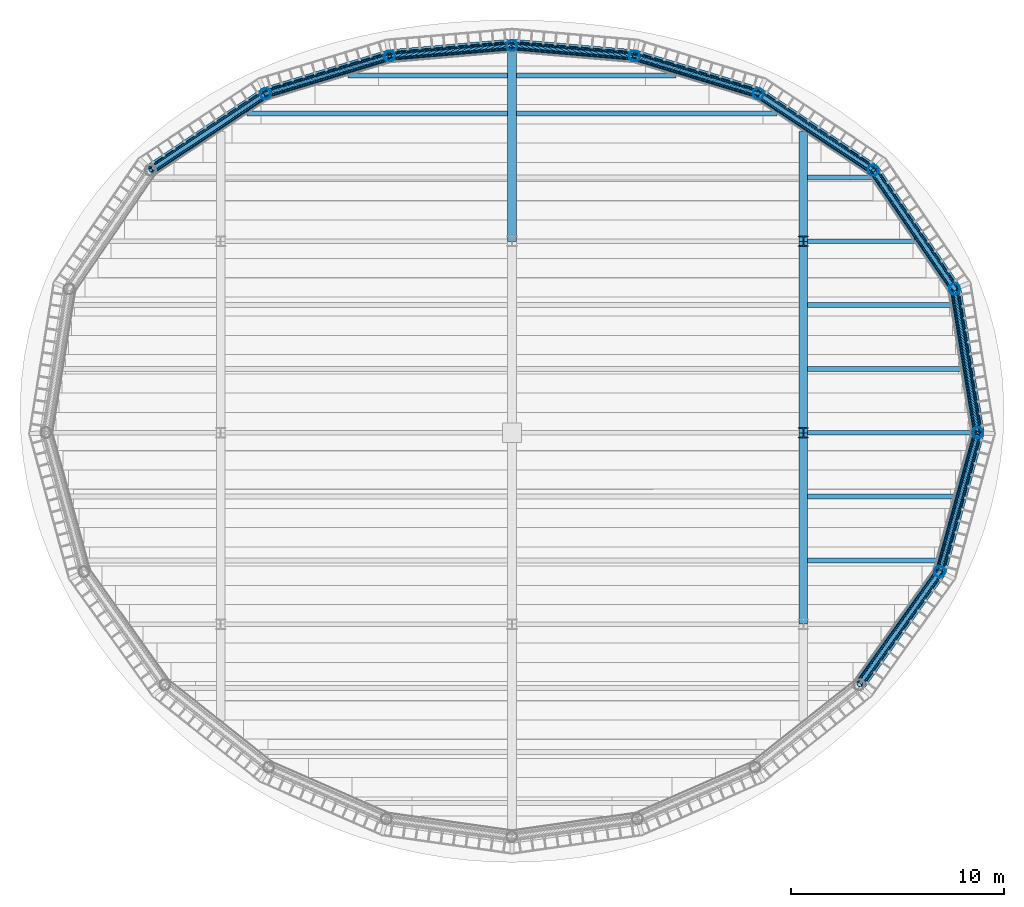
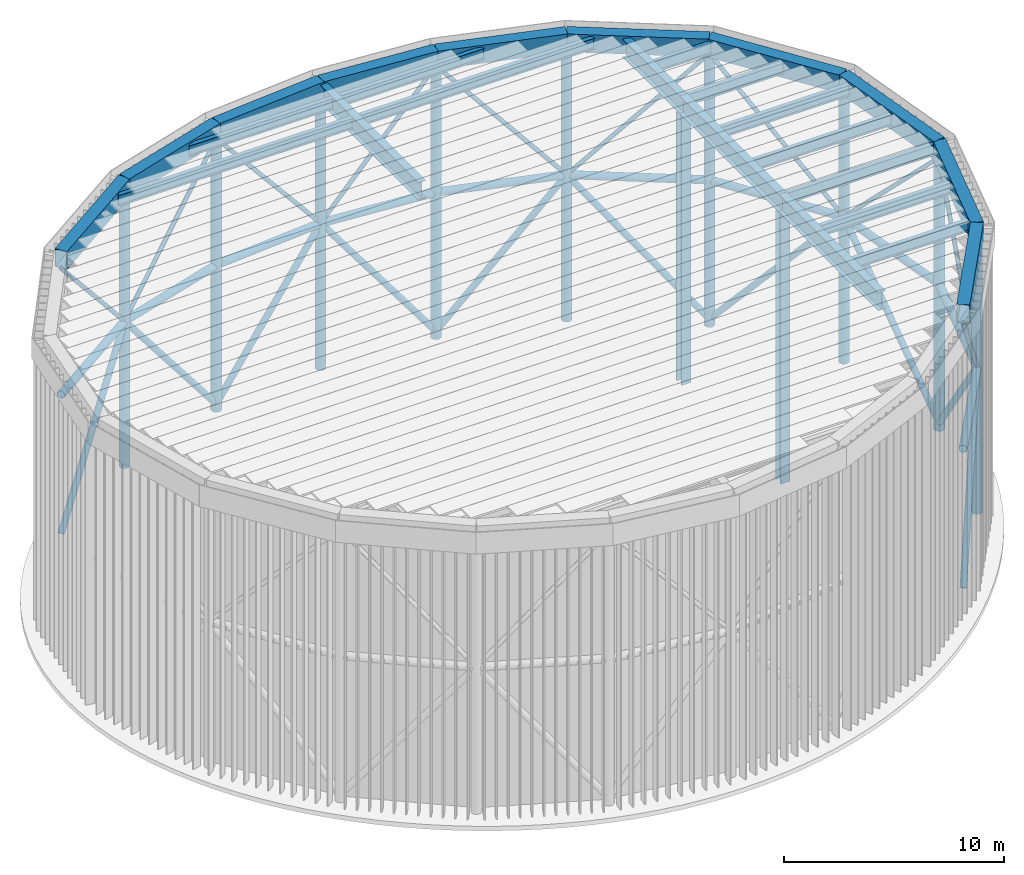
# One storey, part 3 of 11: 35 beams, 31 members.
"""IFC4 building model written with IfcOpenShell, lengths in metres."""

import ifcopenshell
import ifcopenshell.guid

model = None  # the IFC model being written
_history = None  # IfcOwnerHistory: only IFC2X3 demands one
_inside = {}  # id of a spatial element -> (the spatial element, [elements in it])
_under = {}  # id of a project, library or spatial element -> (it, [spatial elements below it])
_declared = {}  # id of a project -> (the project, [libraries it declares])
_typed = {}  # id of a type object -> (the type object, [elements of that type])
_made_of = {}  # id of a material, layer set ... -> (it, [elements and type objects made of it])


def new_model(schema):
    """Start an empty IFC model of exactly this schema.

    Asked for "IFC4X3", IfcOpenShell would pick the latest addendum, in which some entities
    have other attributes; the version numbers below select the first issue.
    IFC2X3 requires an IfcOwnerHistory on every rooted entity: one is made here for all.
    """
    global model, _history
    if schema == "IFC4X3":
        model = ifcopenshell.file(schema_version=(4, 3, 0, 0))
    else:
        model = ifcopenshell.file(schema=schema)
    _inside.clear()
    _under.clear()
    _declared.clear()
    _typed.clear()
    _made_of.clear()
    _history = None
    if model.schema == "IFC2X3":
        org = make("IfcOrganization", Name="unknown")
        user = make(
            "IfcPersonAndOrganization",
            ThePerson=make("IfcPerson", FamilyName="unknown"),
            TheOrganization=org,
        )
        app = make(
            "IfcApplication",
            ApplicationDeveloper=org,
            Version="unknown",
            ApplicationFullName="unknown",
            ApplicationIdentifier="unknown",
        )
        _history = make(
            "IfcOwnerHistory",
            OwningUser=user,
            OwningApplication=app,
            ChangeAction="ADDED",
            CreationDate=0,
        )
    return model


def make(cls, **values):
    """One entity of the class cls with the attributes given. An attribute that is None is left unset."""
    return model.create_entity(
        cls, **{name: value for name, value in values.items() if value is not None}
    )


def rooted(cls, **values):
    """An entity with a GlobalId (a new one), such as an element, a storey or a relation."""
    return make(cls, GlobalId=ifcopenshell.guid.new(), OwnerHistory=_history, **values)


def si_unit(unit_type, name, prefix=None):
    """IfcSIUnit, for example si_unit("LENGTHUNIT", "METRE", prefix="MILLI")."""
    return make("IfcSIUnit", UnitType=unit_type, Prefix=prefix, Name=name)


def assignment(units):
    """IfcUnitAssignment: the units of a project."""
    return None if units is None else make("IfcUnitAssignment", Units=units)


def point(xyz):
    """IfcCartesianPoint."""
    return None if xyz is None else make("IfcCartesianPoint", Coordinates=xyz)


def direction(xyz):
    """IfcDirection."""
    return None if xyz is None else make("IfcDirection", DirectionRatios=xyz)


def frame(location, z_axis=None, x_axis=None):
    """IfcAxis2Placement3D, a coordinate frame: its origin and axes. An axis left out is left unset."""
    return make(
        "IfcAxis2Placement3D",
        Location=point(location),
        Axis=direction(z_axis),
        RefDirection=direction(x_axis),
    )


def frame_2d(location, x_axis=None):
    """IfcAxis2Placement2D, a coordinate frame in the plane: its origin and x axis."""
    return make(
        "IfcAxis2Placement2D", Location=point(location), RefDirection=direction(x_axis)
    )


def origin():
    """The frame at (0, 0, 0) with its axes left unset."""
    return frame((0.0, 0.0, 0.0))


def origin_2d():
    """The frame at (0, 0) in the plane with its x axis left unset."""
    return frame_2d((0.0, 0.0))


def place(relative_to, where):
    """IfcLocalPlacement: puts the frame where relative to a parent placement (None: the world)."""
    return make(
        "IfcLocalPlacement", PlacementRelTo=relative_to, RelativePlacement=where
    )


def context(
    kind, dimensions, precision=None, world=None, true_north=None, identifier=None
):
    """IfcGeometricRepresentationContext, for example the 3D "Model" context."""
    return make(
        "IfcGeometricRepresentationContext",
        ContextIdentifier=identifier,
        ContextType=kind,
        CoordinateSpaceDimension=dimensions,
        Precision=precision,
        WorldCoordinateSystem=world,
        TrueNorth=true_north,
    )


def subcontext(parent, identifier, kind, view, scale=None):
    """IfcGeometricRepresentationSubContext, for example "Body" below "Model"."""
    return make(
        "IfcGeometricRepresentationSubContext",
        ContextIdentifier=identifier,
        ContextType=kind,
        ParentContext=parent,
        TargetScale=scale,
        TargetView=view,
    )


def project(units=None, contexts=None):
    """IfcProject with its units and contexts."""
    return rooted(
        "IfcProject",
        Name="project",
        RepresentationContexts=contexts,
        UnitsInContext=assignment(units),
    )


def spatial(cls, under=None, at=None, **own):
    """A site, building, storey or space (cls), placed at a placement, below another one or the project."""
    s = rooted(cls, ObjectPlacement=at, **own)
    if under is not None:
        _under.setdefault(under.id(), (under, []))[1].append(s)
    return s


def profile(cls, at=None, kind="AREA", **sizes):
    """A parametric profile (cls). Its sizes go by their IFC names, for example OverallWidth=200.0."""
    return make(cls, ProfileType=kind, Position=at, **sizes)


def hollow_rectangle(**sizes):
    """IfcRectangleHollowProfileDef."""
    return profile("IfcRectangleHollowProfileDef", **sizes)


def hollow_circle(**sizes):
    """IfcCircleHollowProfileDef."""
    return profile("IfcCircleHollowProfileDef", **sizes)


def i_section(**sizes):
    """IfcIShapeProfileDef."""
    return profile("IfcIShapeProfileDef", **sizes)


def extrude(swept, where, along, depth):
    """IfcExtrudedAreaSolid: the profile swept, set in the frame where, extruded along a direction by depth."""
    return make(
        "IfcExtrudedAreaSolid",
        SweptArea=swept,
        Position=where,
        ExtrudedDirection=direction(along),
        Depth=depth,
    )


def shape(context_of_items, identifier, shape_type, items):
    """IfcShapeRepresentation: the items that make up one representation, for example the "Body"."""
    return make(
        "IfcShapeRepresentation",
        ContextOfItems=context_of_items,
        RepresentationIdentifier=identifier,
        RepresentationType=shape_type,
        Items=items,
    )


def material(Name=None, Category=None):
    """IfcMaterial."""
    return make("IfcMaterial", Name=Name, Category=Category)


def material_profile(
    of_material, cross_section, Name=None, Category=None, Priority=None
):
    """IfcMaterialProfile: a cross section and its material."""
    return make(
        "IfcMaterialProfile",
        Name=Name,
        Material=of_material,
        Profile=cross_section,
        Priority=Priority,
        Category=Category,
    )


def profile_set(profiles, Name=None, composite=None):
    """IfcMaterialProfileSet."""
    return make(
        "IfcMaterialProfileSet",
        Name=Name,
        MaterialProfiles=profiles,
        CompositeProfile=composite,
    )


def made_of(thing, what):
    """Note that an element or type object is made of a material, layer set ...; save() writes the relation."""
    if what is not None:
        _made_of.setdefault(what.id(), (what, []))[1].append(thing)
    return thing


def type_object(cls, material=None, **own):
    """A type object (cls), such as IfcWallType, which elements share."""
    return made_of(rooted(cls, **own), material)


def element(
    cls,
    number,
    at=None,
    inside=None,
    cuts=None,
    type_object=None,
    material=None,
    context=None,
    identifier="Body",
    shape_type=None,
    held_by="IfcProductDefinitionShape",
    body=None,
    shapes=None,
    **own,
):
    """One element of the class cls, such as IfcWall. Its Tag is "e" and its number.

    at: its placement. inside: the storey or other place that contains it. cuts: it is an
    opening in that element (IfcRelVoidsElement). A single representation is given by context,
    identifier, shape_type and body (its items); several are given by shapes. held_by: the class
    of the entity that holds the representations. save() writes the other relations.
    """
    e = rooted(cls, Tag="e%d" % number, ObjectPlacement=at, **own)
    if body is not None:
        shapes = [shape(context, identifier, shape_type, body)]
    if shapes is not None:
        e.Representation = make(held_by, Representations=shapes)
    if inside is not None:
        _inside.setdefault(inside.id(), (inside, []))[1].append(e)
    if cuts is not None:
        rooted(
            "IfcRelVoidsElement", RelatingBuildingElement=cuts, RelatedOpeningElement=e
        )
    if type_object is not None:
        _typed.setdefault(type_object.id(), (type_object, []))[1].append(e)
    return made_of(e, material)


def aggregate(whole, parts):
    """IfcRelAggregates: a whole, such as a stair, and the parts it consists of."""
    return rooted("IfcRelAggregates", RelatingObject=whole, RelatedObjects=parts)


def save(model, path):
    """Write the relations noted so far, then the file.

    IfcRelAggregates (storeys below a building ...), IfcRelContainedInSpatialStructure (elements
    in a storey), IfcRelDefinesByType, IfcRelAssociatesMaterial and IfcRelDeclares: one each for
    every whole, place, type object, material and project.
    """
    for whole, parts in _under.values():
        aggregate(whole, parts)
    for where, things in _inside.values():
        rooted(
            "IfcRelContainedInSpatialStructure",
            RelatedElements=things,
            RelatingStructure=where,
        )
    for kind, things in _typed.values():
        rooted("IfcRelDefinesByType", RelatedObjects=things, RelatingType=kind)
    for what, things in _made_of.values():
        rooted("IfcRelAssociatesMaterial", RelatedObjects=things, RelatingMaterial=what)
    for by, libraries in _declared.values():
        rooted("IfcRelDeclares", RelatingContext=by, RelatedDefinitions=libraries)
    model.write(path)


model = new_model("IFC4")

# Units and contexts
model_context = context("Model", 3, precision=1e-05, world=origin(), true_north=direction((0.0, 1.0)))
body_context = subcontext(model_context, "Body", "Model", "MODEL_VIEW")
ifc_project = project(units=[si_unit("LENGTHUNIT", "METRE"), si_unit("AREAUNIT", "SQUARE_METRE"), si_unit("VOLUMEUNIT", "CUBIC_METRE"), si_unit("PLANEANGLEUNIT", "RADIAN"), si_unit("MASSUNIT", "GRAM", prefix="KILO")], contexts=[model_context])

# Site, building, storey
site_placement = place(None, origin())
site = spatial("IfcSite", under=ifc_project, at=site_placement, CompositionType="ELEMENT")
building_placement = place(site_placement, origin())
building = spatial("IfcBuilding", under=site, at=building_placement, Name="Marramba Exchange Tower", CompositionType="ELEMENT")
storey_placement = place(building_placement, frame((0.0, 0.0, 282.0)))
storey = spatial("IfcBuildingStorey", under=building, at=storey_placement, Name="Roof crown", CompositionType="ELEMENT", Elevation=282.0)

# Members
ifc_material_1 = material(Name="Steel AS/NZS 1163 grade C350L0", Category="steel")
ifc_material_profile_1 = material_profile(ifc_material_1, hollow_circle(Radius=0.161865234375, WallThickness=0.0126953125, at=origin_2d()), Name="323.9x12.7CHS")
ifc_profile_set_1 = profile_set([ifc_material_profile_1], Name="Steel AS/NZS 1163 grade C350L0")
member_type_1 = type_object("IfcMemberType", Name="CROWN FRAME BRACE 323.9x12.7CHS", PredefinedType="BRACE", material=ifc_profile_set_1)
member_1_placement = place(storey_placement, frame((21.89990234375, 0.0, 0.300048828125), z_axis=(-0.105925248953, 0.656092131349, 0.747210115574), x_axis=(-0.987216523708, -0.159384865399, 0.0)))
element("IfcMember", 1, at=member_1_placement, inside=storey, type_object=member_type_1, Name="Crown frame brace 01", PredefinedType="BRACE", context=body_context, shape_type="SweptSolid", body=[
    extrude(hollow_circle(Radius=0.161865234375, WallThickness=0.0126953125, at=origin_2d()), origin(), (0.0, 0.0, 1.0), 10.304931640625),
])
member_2_placement = place(storey_placement, frame((16.98583984375, 12.3408203125, 0.300048828125), z_axis=(0.372975930298, -0.544444330777, 0.751311736966), x_axis=(0.824981303535, 0.56516002054, 0.0)))
element("IfcMember", 2, at=member_2_placement, inside=storey, type_object=member_type_1, Name="Crown frame brace 02", PredefinedType="BRACE", context=body_context, shape_type="SweptSolid", body=[
    extrude(hollow_circle(Radius=0.161865234375, WallThickness=0.0126953125, at=origin_2d()), origin(), (0.0, 0.0, 1.0), 10.248779296875),
])
member_3_placement = place(storey_placement, frame((16.98583984375, 12.3408203125, 0.300048828125), z_axis=(-0.53656336979, 0.357369576915, 0.764451918498), x_axis=(-0.554335737673, -0.832293151443, 0.0)))
element("IfcMember", 3, at=member_3_placement, inside=storey, type_object=member_type_1, Name="Crown frame brace 03", PredefinedType="BRACE", context=body_context, shape_type="SweptSolid", body=[
    extrude(hollow_circle(Radius=0.161865234375, WallThickness=0.0126953125, at=origin_2d()), origin(), (0.0, 0.0, 1.0), 10.072509765625),
])
member_4_placement = place(storey_placement, frame((5.75390625, 17.70849609375, 0.300048828125), z_axis=(0.593601185617, -0.180102215687, 0.784347387539), x_axis=(0.290336735387, 0.956924542524, 0.0)))
element("IfcMember", 4, at=member_4_placement, inside=storey, type_object=member_type_1, Name="Crown frame brace 04", PredefinedType="BRACE", context=body_context, shape_type="SweptSolid", body=[
    extrude(hollow_circle(Radius=0.161865234375, WallThickness=0.0126953125, at=origin_2d()), origin(), (0.0, 0.0, 1.0), 9.81689453125),
])
for number, where, z_axis, x_axis, name in (
    (5, (5.75390625, 17.70849609375, 0.300048828125), (-0.597803005111, 0.051491009011, 0.799987651824), (-0.085815993578, -0.996311003275, 0.0), "Crown frame brace 05"),
    (6, (-5.75390625, 17.70849609375, 0.300048828125), (0.597803005111, 0.051491009011, 0.799987651824), (-0.085815993578, 0.996311003275, 0.0), "Crown frame brace 06"),
):
    element("IfcMember", number, at=place(storey_placement, frame(where, z_axis=z_axis, x_axis=x_axis)), inside=storey, type_object=member_type_1, Name=name, PredefinedType="BRACE", context=body_context, shape_type="SweptSolid", body=[
        extrude(hollow_circle(Radius=0.161865234375, WallThickness=0.0126953125, at=origin_2d()), origin(), (0.0, 0.0, 1.0), 9.625),
    ])
member_5_placement = place(storey_placement, frame((-5.75390625, 17.70849609375, 0.300048828125), z_axis=(-0.593601185617, -0.180102215687, 0.784347387539), x_axis=(0.290336735387, -0.956924542524, 0.0)))
element("IfcMember", 7, at=member_5_placement, inside=storey, type_object=member_type_1, Name="Crown frame brace 07", PredefinedType="BRACE", context=body_context, shape_type="SweptSolid", body=[
    extrude(hollow_circle(Radius=0.161865234375, WallThickness=0.0126953125, at=origin_2d()), origin(), (0.0, 0.0, 1.0), 9.81689453125),
])
member_6_placement = place(storey_placement, frame((-16.98583984375, 12.3408203125, 0.300048828125), z_axis=(0.53656336979, 0.357369576915, 0.764451918498), x_axis=(-0.554335737673, 0.832293151443, 0.0)))
element("IfcMember", 8, at=member_6_placement, inside=storey, type_object=member_type_1, Name="Crown frame brace 08", PredefinedType="BRACE", context=body_context, shape_type="SweptSolid", body=[
    extrude(hollow_circle(Radius=0.161865234375, WallThickness=0.0126953125, at=origin_2d()), origin(), (0.0, 0.0, 1.0), 10.072509765625),
])
member_7_placement = place(storey_placement, frame((16.3154296875, -11.853759765625, 0.300048828125), z_axis=(0.375686400247, 0.526782925443, 0.762469329305), x_axis=(-0.814162430914, 0.580637181111, 0.0)))
element("IfcMember", 9, at=member_7_placement, inside=storey, type_object=member_type_1, Name="Crown frame brace 19", PredefinedType="BRACE", context=body_context, shape_type="SweptSolid", body=[
    extrude(hollow_circle(Radius=0.161865234375, WallThickness=0.0126953125, at=origin_2d()), origin(), (0.0, 0.0, 1.0), 10.0986328125),
])
member_8_placement = place(storey_placement, frame((21.89990234375, 0.0, 0.300048828125), z_axis=(-0.174581728034, -0.637078100268, 0.750768082963), x_axis=(0.964442937176, -0.264291166956, 0.0)))
element("IfcMember", 10, at=member_8_placement, inside=storey, type_object=member_type_1, Name="Crown frame brace 20", PredefinedType="BRACE", context=body_context, shape_type="SweptSolid", body=[
    extrude(hollow_circle(Radius=0.161865234375, WallThickness=0.0126953125, at=origin_2d()), origin(), (0.0, 0.0, 1.0), 10.256103515625),
])

# Beams
ifc_material_2 = material(Name="Steel AS/NZS 3678 grade 350", Category="steel")
ifc_material_profile_2 = material_profile(ifc_material_2, hollow_rectangle(XDim=0.60009765625, YDim=1.0, WallThickness=0.02490234375, at=origin_2d()), Name="1000x600x25BOX")
ifc_profile_set_2 = profile_set([ifc_material_profile_2], Name="Steel AS/NZS 3678 grade 350")
beam_type_1 = type_object("IfcBeamType", Name="CROWN FRAME CAP RING 1000x600x25BOX", PredefinedType="BEAM", material=ifc_profile_set_2)
beam_1_placement = place(storey_placement, frame((21.89990234375, 0.0, 15.5), z_axis=(-0.159384865399, 0.987216523708, 0.0), x_axis=(-0.987216523708, -0.159384865399, 0.0)))
element("IfcBeam", 11, at=beam_1_placement, inside=storey, type_object=beam_type_1, Name="Crown frame cap ring 01", PredefinedType="BEAM", context=body_context, shape_type="SweptSolid", body=[
    extrude(hollow_rectangle(XDim=0.60009765625, YDim=1.0, WallThickness=0.02490234375, at=origin_2d()), origin(), (0.0, 0.0, 1.0), 6.8486328125),
])
beam_2_placement = place(storey_placement, frame((20.808349609375, 6.760986328125, 15.5), z_axis=(-0.56516002054, 0.824981303535, 0.0), x_axis=(-0.824981303535, -0.56516002054, 0.0)))
element("IfcBeam", 12, at=beam_2_placement, inside=storey, type_object=beam_type_1, Name="Crown frame cap ring 02", PredefinedType="BEAM", context=body_context, shape_type="SweptSolid", body=[
    extrude(hollow_rectangle(XDim=0.60009765625, YDim=1.0, WallThickness=0.02490234375, at=origin_2d()), origin(), (0.0, 0.0, 1.0), 6.763671875),
])
beam_3_placement = place(storey_placement, frame((16.98583984375, 12.3408203125, 15.5), z_axis=(-0.832293151443, 0.554335737673, 0.0), x_axis=(-0.554335737673, -0.832293151443, 0.0)))
element("IfcBeam", 13, at=beam_3_placement, inside=storey, type_object=beam_type_1, Name="Crown frame cap ring 03", PredefinedType="BEAM", context=body_context, shape_type="SweptSolid", body=[
    extrude(hollow_rectangle(XDim=0.60009765625, YDim=1.0, WallThickness=0.02490234375, at=origin_2d()), origin(), (0.0, 0.0, 1.0), 6.49365234375),
])
beam_4_placement = place(storey_placement, frame((11.581298828125, 15.9404296875, 15.5), z_axis=(-0.956924542524, 0.290336735387, 0.0), x_axis=(-0.290336735387, -0.956924542524, 0.0)))
element("IfcBeam", 14, at=beam_4_placement, inside=storey, type_object=beam_type_1, Name="Crown frame cap ring 04", PredefinedType="BEAM", context=body_context, shape_type="SweptSolid", body=[
    extrude(hollow_rectangle(XDim=0.60009765625, YDim=1.0, WallThickness=0.02490234375, at=origin_2d()), origin(), (0.0, 0.0, 1.0), 6.089599609375),
])
for number, where, z_axis, x_axis, name in (
    (15, (5.75390625, 17.70849609375, 15.5), (-0.996311003275, 0.085815993578, 0.0), (-0.085815993578, -0.996311003275, 0.0), "Crown frame cap ring 05"),
    (16, (0.0, 18.2041015625, 15.5), (-0.996311003275, -0.085815993578, 0.0), (0.085815993578, -0.996311003275, 0.0), "Crown frame cap ring 06"),
):
    element("IfcBeam", number, at=place(storey_placement, frame(where, z_axis=z_axis, x_axis=x_axis)), inside=storey, type_object=beam_type_1, Name=name, PredefinedType="BEAM", context=body_context, shape_type="SweptSolid", body=[
        extrude(hollow_rectangle(XDim=0.60009765625, YDim=1.0, WallThickness=0.02490234375, at=origin_2d()), origin(), (0.0, 0.0, 1.0), 5.775146484375),
    ])
beam_5_placement = place(storey_placement, frame((-5.75390625, 17.70849609375, 15.5), z_axis=(-0.956924542524, -0.290336735387, 0.0), x_axis=(0.290336735387, -0.956924542524, 0.0)))
element("IfcBeam", 17, at=beam_5_placement, inside=storey, type_object=beam_type_1, Name="Crown frame cap ring 07", PredefinedType="BEAM", context=body_context, shape_type="SweptSolid", body=[
    extrude(hollow_rectangle(XDim=0.60009765625, YDim=1.0, WallThickness=0.02490234375, at=origin_2d()), origin(), (0.0, 0.0, 1.0), 6.089599609375),
])
beam_6_placement = place(storey_placement, frame((-11.581298828125, 15.9404296875, 15.5), z_axis=(-0.832293151443, -0.554335737673, 0.0), x_axis=(0.554335737673, -0.832293151443, 0.0)))
element("IfcBeam", 18, at=beam_6_placement, inside=storey, type_object=beam_type_1, Name="Crown frame cap ring 08", PredefinedType="BEAM", context=body_context, shape_type="SweptSolid", body=[
    extrude(hollow_rectangle(XDim=0.60009765625, YDim=1.0, WallThickness=0.02490234375, at=origin_2d()), origin(), (0.0, 0.0, 1.0), 6.49365234375),
])
beam_7_placement = place(storey_placement, frame((16.3154296875, -11.853759765625, 15.5), z_axis=(0.580637181111, 0.814162430914, 0.0), x_axis=(-0.814162430914, 0.580637181111, 0.0)))
element("IfcBeam", 19, at=beam_7_placement, inside=storey, type_object=beam_type_1, Name="Crown frame cap ring 19", PredefinedType="BEAM", context=body_context, shape_type="SweptSolid", body=[
    extrude(hollow_rectangle(XDim=0.60009765625, YDim=1.0, WallThickness=0.02490234375, at=origin_2d()), origin(), (0.0, 0.0, 1.0), 6.5341796875),
])
beam_8_placement = place(storey_placement, frame((20.109375, -6.533935546875, 15.5), z_axis=(0.264291166956, 0.964442937176, 0.0), x_axis=(-0.964442937176, 0.264291166956, 0.0)))
element("IfcBeam", 20, at=beam_8_placement, inside=storey, type_object=beam_type_1, Name="Crown frame cap ring 20", PredefinedType="BEAM", context=body_context, shape_type="SweptSolid", body=[
    extrude(hollow_rectangle(XDim=0.60009765625, YDim=1.0, WallThickness=0.02490234375, at=origin_2d()), origin(), (0.0, 0.0, 1.0), 6.77490234375),
])

# Members
ifc_material_3 = material(Name="Steel AS/NZS 3679.2 grade 300", Category="steel")
ifc_material_profile_3 = material_profile(ifc_material_3, i_section(OverallWidth=0.5, OverallDepth=0.47998046875, WebThickness=0.0400390625, FlangeThickness=0.0400390625, at=origin_2d()), Name="500WC440")
ifc_profile_set_3 = profile_set([ifc_material_profile_3], Name="Steel AS/NZS 3679.2 grade 300")
member_type_2 = type_object("IfcMemberType", Name="CROWN FRAME INTERIOR POST 500WC440", PredefinedType="POST", material=ifc_profile_set_3)
for number, where, z_axis, x_axis, name in (
    (21, (13.699951171875, 0.0, 0.0), (0.0, 0.0, 1.0), (1.0, 0.0, 0.0), "Crown frame interior post CF6 04"),
    (22, (13.699951171875, 9.0, 0.0), (0.0, 0.0, 1.0), (1.0, 0.0, 0.0), "Crown frame interior post CF6 05"),
):
    element("IfcMember", number, at=place(storey_placement, frame(where, z_axis=z_axis, x_axis=x_axis)), inside=storey, type_object=member_type_2, Name=name, PredefinedType="POST", context=body_context, shape_type="SweptSolid", body=[
        extrude(i_section(OverallWidth=0.5, OverallDepth=0.47998046875, WebThickness=0.0400390625, FlangeThickness=0.0400390625, at=origin_2d()), origin(), (0.0, 0.0, 1.0), 14.89990234375),
    ])
ifc_material_profile_4 = material_profile(ifc_material_1, hollow_circle(Radius=0.25390625, WallThickness=0.0126953125, at=origin_2d()), Name="508.0x12.7CHS")
ifc_profile_set_4 = profile_set([ifc_material_profile_4], Name="Steel AS/NZS 1163 grade C350L0")
member_type_3 = type_object("IfcMemberType", Name="CROWN FRAME POST 508.0x12.7CHS", PredefinedType="POST", material=ifc_profile_set_4)
for number, where, z_axis, x_axis, name in (
    (23, (21.89990234375, 0.0, 0.0), (0.0, 0.0, 1.0), (1.0, 0.0, 0.0), "Crown frame post CF01"),
    (24, (20.808349609375, 6.760986328125, 0.0), (0.0, 0.0, 1.0), (1.0, 0.0, 0.0), "Crown frame post CF02"),
    (25, (16.98583984375, 12.3408203125, 0.0), (0.0, 0.0, 1.0), (1.0, 0.0, 0.0), "Crown frame post CF03"),
    (26, (11.581298828125, 15.9404296875, 0.0), (0.0, 0.0, 1.0), (1.0, 0.0, 0.0), "Crown frame post CF04"),
    (27, (5.75390625, 17.70849609375, 0.0), (0.0, 0.0, 1.0), (1.0, 0.0, 0.0), "Crown frame post CF05"),
    (28, (0.0, 18.2041015625, 0.0), (0.0, 0.0, 1.0), (1.0, 0.0, 0.0), "Crown frame post CF06"),
    (29, (-5.75390625, 17.70849609375, 0.0), (0.0, 0.0, 1.0), (1.0, 0.0, 0.0), "Crown frame post CF07"),
    (30, (-11.581298828125, 15.9404296875, 0.0), (0.0, 0.0, 1.0), (1.0, 0.0, 0.0), "Crown frame post CF08"),
    (31, (20.109375, -6.533935546875, 0.0), (0.0, 0.0, 1.0), (1.0, 0.0, 0.0), "Crown frame post CF20"),
):
    element("IfcMember", number, at=place(storey_placement, frame(where, z_axis=z_axis, x_axis=x_axis)), inside=storey, type_object=member_type_3, Name=name, PredefinedType="POST", context=body_context, shape_type="SweptSolid", body=[
        extrude(hollow_circle(Radius=0.25390625, WallThickness=0.0126953125, at=origin_2d()), origin(), (0.0, 0.0, 1.0), 15.0),
    ])

# Beams
ifc_material_profile_5 = material_profile(ifc_material_1, hollow_circle(Radius=0.203125, WallThickness=0.0126953125, at=origin_2d()), Name="406.4x12.7CHS")
ifc_profile_set_5 = profile_set([ifc_material_profile_5], Name="Steel AS/NZS 1163 grade C350L0")
beam_type_2 = type_object("IfcBeamType", Name="CROWN FRAME RING 406.4x12.7CHS", PredefinedType="BEAM", material=ifc_profile_set_5)
beam_9_placement = place(storey_placement, frame((21.89990234375, 0.0, 8.0), z_axis=(-0.159384865399, 0.987216523708, 0.0), x_axis=(-0.987216523708, -0.159384865399, 0.0)))
element("IfcBeam", 32, at=beam_9_placement, inside=storey, type_object=beam_type_2, Name="Crown frame ring mid 01", PredefinedType="BEAM", context=body_context, shape_type="SweptSolid", body=[
    extrude(hollow_circle(Radius=0.203125, WallThickness=0.0126953125, at=origin_2d()), origin(), (0.0, 0.0, 1.0), 6.8486328125),
])
beam_10_placement = place(storey_placement, frame((20.808349609375, 6.760986328125, 8.0), z_axis=(-0.56516002054, 0.824981303535, 0.0), x_axis=(-0.824981303535, -0.56516002054, 0.0)))
element("IfcBeam", 33, at=beam_10_placement, inside=storey, type_object=beam_type_2, Name="Crown frame ring mid 02", PredefinedType="BEAM", context=body_context, shape_type="SweptSolid", body=[
    extrude(hollow_circle(Radius=0.203125, WallThickness=0.0126953125, at=origin_2d()), origin(), (0.0, 0.0, 1.0), 6.763671875),
])
beam_11_placement = place(storey_placement, frame((16.98583984375, 12.3408203125, 8.0), z_axis=(-0.832293151443, 0.554335737673, 0.0), x_axis=(-0.554335737673, -0.832293151443, 0.0)))
element("IfcBeam", 34, at=beam_11_placement, inside=storey, type_object=beam_type_2, Name="Crown frame ring mid 03", PredefinedType="BEAM", context=body_context, shape_type="SweptSolid", body=[
    extrude(hollow_circle(Radius=0.203125, WallThickness=0.0126953125, at=origin_2d()), origin(), (0.0, 0.0, 1.0), 6.49365234375),
])
beam_12_placement = place(storey_placement, frame((11.581298828125, 15.9404296875, 8.0), z_axis=(-0.956924542524, 0.290336735387, 0.0), x_axis=(-0.290336735387, -0.956924542524, 0.0)))
element("IfcBeam", 35, at=beam_12_placement, inside=storey, type_object=beam_type_2, Name="Crown frame ring mid 04", PredefinedType="BEAM", context=body_context, shape_type="SweptSolid", body=[
    extrude(hollow_circle(Radius=0.203125, WallThickness=0.0126953125, at=origin_2d()), origin(), (0.0, 0.0, 1.0), 6.089599609375),
])
for number, where, z_axis, x_axis, name in (
    (36, (5.75390625, 17.70849609375, 8.0), (-0.996311003275, 0.085815993578, 0.0), (-0.085815993578, -0.996311003275, 0.0), "Crown frame ring mid 05"),
    (37, (0.0, 18.2041015625, 8.0), (-0.996311003275, -0.085815993578, 0.0), (0.085815993578, -0.996311003275, 0.0), "Crown frame ring mid 06"),
):
    element("IfcBeam", number, at=place(storey_placement, frame(where, z_axis=z_axis, x_axis=x_axis)), inside=storey, type_object=beam_type_2, Name=name, PredefinedType="BEAM", context=body_context, shape_type="SweptSolid", body=[
        extrude(hollow_circle(Radius=0.203125, WallThickness=0.0126953125, at=origin_2d()), origin(), (0.0, 0.0, 1.0), 5.775146484375),
    ])
beam_13_placement = place(storey_placement, frame((-5.75390625, 17.70849609375, 8.0), z_axis=(-0.956924542524, -0.290336735387, 0.0), x_axis=(0.290336735387, -0.956924542524, 0.0)))
element("IfcBeam", 38, at=beam_13_placement, inside=storey, type_object=beam_type_2, Name="Crown frame ring mid 07", PredefinedType="BEAM", context=body_context, shape_type="SweptSolid", body=[
    extrude(hollow_circle(Radius=0.203125, WallThickness=0.0126953125, at=origin_2d()), origin(), (0.0, 0.0, 1.0), 6.089599609375),
])
beam_14_placement = place(storey_placement, frame((-11.581298828125, 15.9404296875, 8.0), z_axis=(-0.832293151443, -0.554335737673, 0.0), x_axis=(0.554335737673, -0.832293151443, 0.0)))
element("IfcBeam", 39, at=beam_14_placement, inside=storey, type_object=beam_type_2, Name="Crown frame ring mid 08", PredefinedType="BEAM", context=body_context, shape_type="SweptSolid", body=[
    extrude(hollow_circle(Radius=0.203125, WallThickness=0.0126953125, at=origin_2d()), origin(), (0.0, 0.0, 1.0), 6.49365234375),
])
beam_15_placement = place(storey_placement, frame((16.3154296875, -11.853759765625, 8.0), z_axis=(0.580637181111, 0.814162430914, 0.0), x_axis=(-0.814162430914, 0.580637181111, 0.0)))
element("IfcBeam", 40, at=beam_15_placement, inside=storey, type_object=beam_type_2, Name="Crown frame ring mid 19", PredefinedType="BEAM", context=body_context, shape_type="SweptSolid", body=[
    extrude(hollow_circle(Radius=0.203125, WallThickness=0.0126953125, at=origin_2d()), origin(), (0.0, 0.0, 1.0), 6.5341796875),
])
beam_16_placement = place(storey_placement, frame((20.109375, -6.533935546875, 8.0), z_axis=(0.264291166956, 0.964442937176, 0.0), x_axis=(-0.964442937176, 0.264291166956, 0.0)))
element("IfcBeam", 41, at=beam_16_placement, inside=storey, type_object=beam_type_2, Name="Crown frame ring mid 20", PredefinedType="BEAM", context=body_context, shape_type="SweptSolid", body=[
    extrude(hollow_circle(Radius=0.203125, WallThickness=0.0126953125, at=origin_2d()), origin(), (0.0, 0.0, 1.0), 6.77490234375),
])
ifc_material_profile_6 = material_profile(ifc_material_3, i_section(OverallWidth=0.39990234375, OverallDepth=1.0, WebThickness=0.01611328125, FlangeThickness=0.031982421875, at=origin_2d()), Name="1000WB322")
ifc_profile_set_6 = profile_set([ifc_material_profile_6], Name="Steel AS/NZS 3679.2 grade 300")
beam_type_3 = type_object("IfcBeamType", Name="CROWN FRAME ROOF GIRDER 1000WB322", PredefinedType="BEAM", material=ifc_profile_set_6)
beam_17_placement = place(storey_placement, frame((0.0, 9.0, 15.39990234375), z_axis=(0.0, 1.0, 0.0), x_axis=(-1.0, 0.0, 0.0)))
element("IfcBeam", 42, at=beam_17_placement, inside=storey, type_object=beam_type_3, Name="Crown frame roof girder CF7 07", PredefinedType="BEAM", context=body_context, shape_type="SweptSolid", body=[
    extrude(i_section(OverallWidth=0.39990234375, OverallDepth=1.0, WebThickness=0.01611328125, FlangeThickness=0.031982421875, at=origin_2d()), origin(), (0.0, 0.0, 1.0), 8.90283203125),
])
for number, where, z_axis, x_axis, name in (
    (43, (13.699951171875, -9.0, 15.39990234375), (0.0, 1.0, 0.0), (-1.0, 0.0, 0.0), "Crown frame roof girder CF7 09"),
    (44, (13.699951171875, 0.0, 15.39990234375), (0.0, 1.0, 0.0), (-1.0, 0.0, 0.0), "Crown frame roof girder CF7 10"),
):
    element("IfcBeam", number, at=place(storey_placement, frame(where, z_axis=z_axis, x_axis=x_axis)), inside=storey, type_object=beam_type_3, Name=name, PredefinedType="BEAM", context=body_context, shape_type="SweptSolid", body=[
        extrude(i_section(OverallWidth=0.39990234375, OverallDepth=1.0, WebThickness=0.01611328125, FlangeThickness=0.031982421875, at=origin_2d()), origin(), (0.0, 0.0, 1.0), 9.0),
    ])
beam_18_placement = place(storey_placement, frame((13.699951171875, 9.0, 15.39990234375), z_axis=(0.0, 1.0, 0.0), x_axis=(-1.0, 0.0, 0.0)))
element("IfcBeam", 45, at=beam_18_placement, inside=storey, type_object=beam_type_3, Name="Crown frame roof girder CF7 11", PredefinedType="BEAM", context=body_context, shape_type="SweptSolid", body=[
    extrude(i_section(OverallWidth=0.39990234375, OverallDepth=1.0, WebThickness=0.01611328125, FlangeThickness=0.031982421875, at=origin_2d()), origin(), (0.0, 0.0, 1.0), 5.1689453125),
])
ifc_material_4 = material(Name="Steel AS/NZS 3679.1 grade 300", Category="steel")
ifc_material_profile_7 = material_profile(ifc_material_4, i_section(OverallWidth=0.22900390625, OverallDepth=0.612060546875, WebThickness=0.011962890625, FlangeThickness=0.01953125, FilletRadius=0.013916015625, at=origin_2d()), Name="610UB125")
ifc_profile_set_7 = profile_set([ifc_material_profile_7], Name="Steel AS/NZS 3679.1 grade 300")
beam_type_4 = type_object("IfcBeamType", Name="CROWN FRAME ROOF JOIST 610UB125", PredefinedType="JOIST", material=ifc_profile_set_7)
beam_19_placement = place(storey_placement, frame((13.89990234375, -6.0, 15.593994140625), z_axis=(1.0, 0.0, 0.0), x_axis=(0.0, 1.0, 0.0)))
element("IfcBeam", 46, at=beam_19_placement, inside=storey, type_object=beam_type_4, Name="Crown frame roof joist CF8 16", PredefinedType="JOIST", context=body_context, shape_type="SweptSolid", body=[
    extrude(i_section(OverallWidth=0.22900390625, OverallDepth=0.612060546875, WebThickness=0.011962890625, FlangeThickness=0.01953125, FilletRadius=0.013916015625, at=origin_2d()), origin(), (0.0, 0.0, 1.0), 6.044677734375),
])
beam_20_placement = place(storey_placement, frame((13.89990234375, -3.0, 15.593994140625), z_axis=(1.0, 0.0, 0.0), x_axis=(0.0, 1.0, 0.0)))
element("IfcBeam", 47, at=beam_20_placement, inside=storey, type_object=beam_type_4, Name="Crown frame roof joist CF8 20", PredefinedType="JOIST", context=body_context, shape_type="SweptSolid", body=[
    extrude(i_section(OverallWidth=0.22900390625, OverallDepth=0.612060546875, WebThickness=0.011962890625, FlangeThickness=0.01953125, FilletRadius=0.013916015625, at=origin_2d()), origin(), (0.0, 0.0, 1.0), 6.866943359375),
])
beam_21_placement = place(storey_placement, frame((13.89990234375, 0.0, 15.593994140625), z_axis=(1.0, 0.0, 0.0), x_axis=(0.0, 1.0, 0.0)))
element("IfcBeam", 48, at=beam_21_placement, inside=storey, type_object=beam_type_4, Name="Crown frame roof joist CF8 24", PredefinedType="JOIST", context=body_context, shape_type="SweptSolid", body=[
    extrude(i_section(OverallWidth=0.22900390625, OverallDepth=0.612060546875, WebThickness=0.011962890625, FlangeThickness=0.01953125, FilletRadius=0.013916015625, at=origin_2d()), origin(), (0.0, 0.0, 1.0), 7.68896484375),
])
beam_22_placement = place(storey_placement, frame((13.89990234375, 3.0, 15.593994140625), z_axis=(1.0, 0.0, 0.0), x_axis=(0.0, 1.0, 0.0)))
element("IfcBeam", 49, at=beam_22_placement, inside=storey, type_object=beam_type_4, Name="Crown frame roof joist CF8 28", PredefinedType="JOIST", context=body_context, shape_type="SweptSolid", body=[
    extrude(i_section(OverallWidth=0.22900390625, OverallDepth=0.612060546875, WebThickness=0.011962890625, FlangeThickness=0.01953125, FilletRadius=0.013916015625, at=origin_2d()), origin(), (0.0, 0.0, 1.0), 7.2119140625),
])
beam_23_placement = place(storey_placement, frame((13.89990234375, 6.0, 15.593994140625), z_axis=(1.0, 0.0, 0.0), x_axis=(0.0, 1.0, 0.0)))
element("IfcBeam", 50, at=beam_23_placement, inside=storey, type_object=beam_type_4, Name="Crown frame roof joist CF8 32", PredefinedType="JOIST", context=body_context, shape_type="SweptSolid", body=[
    extrude(i_section(OverallWidth=0.22900390625, OverallDepth=0.612060546875, WebThickness=0.011962890625, FlangeThickness=0.01953125, FilletRadius=0.013916015625, at=origin_2d()), origin(), (0.0, 0.0, 1.0), 6.7275390625),
])
beam_24_placement = place(storey_placement, frame((13.89990234375, 9.0, 15.593994140625), z_axis=(1.0, 0.0, 0.0), x_axis=(0.0, 1.0, 0.0)))
element("IfcBeam", 51, at=beam_24_placement, inside=storey, type_object=beam_type_4, Name="Crown frame roof joist CF8 36", PredefinedType="JOIST", context=body_context, shape_type="SweptSolid", body=[
    extrude(i_section(OverallWidth=0.22900390625, OverallDepth=0.612060546875, WebThickness=0.011962890625, FlangeThickness=0.01953125, FilletRadius=0.013916015625, at=origin_2d()), origin(), (0.0, 0.0, 1.0), 5.010986328125),
])
beam_25_placement = place(storey_placement, frame((13.89990234375, 12.0, 15.593994140625), z_axis=(1.0, 0.0, 0.0), x_axis=(0.0, 1.0, 0.0)))
element("IfcBeam", 52, at=beam_25_placement, inside=storey, type_object=beam_type_4, Name="Crown frame roof joist CF8 40", PredefinedType="JOIST", context=body_context, shape_type="SweptSolid", body=[
    extrude(i_section(OverallWidth=0.22900390625, OverallDepth=0.612060546875, WebThickness=0.011962890625, FlangeThickness=0.01953125, FilletRadius=0.013916015625, at=origin_2d()), origin(), (0.0, 0.0, 1.0), 2.95556640625),
])
for number, where, z_axis, x_axis, name in (
    (53, (-12.4521484375, 15.0, 15.593994140625), (1.0, 0.0, 0.0), (0.0, 1.0, 0.0), "Crown frame roof joist CF8 41"),
    (54, (0.199951171875, 15.0, 15.593994140625), (1.0, 0.0, 0.0), (0.0, 1.0, 0.0), "Crown frame roof joist CF8 42"),
):
    element("IfcBeam", number, at=place(storey_placement, frame(where, z_axis=z_axis, x_axis=x_axis)), inside=storey, type_object=beam_type_4, Name=name, PredefinedType="JOIST", context=body_context, shape_type="SweptSolid", body=[
        extrude(i_section(OverallWidth=0.22900390625, OverallDepth=0.612060546875, WebThickness=0.011962890625, FlangeThickness=0.01953125, FilletRadius=0.013916015625, at=origin_2d()), origin(), (0.0, 0.0, 1.0), 12.252197265625),
    ])
for number, where, z_axis, x_axis, name in (
    (55, (-7.715087890625, 16.800048828125, 15.593994140625), (1.0, 0.0, 0.0), (0.0, 1.0, 0.0), "Crown frame roof joist CF8 43"),
    (56, (0.199951171875, 16.800048828125, 15.593994140625), (1.0, 0.0, 0.0), (0.0, 1.0, 0.0), "Crown frame roof joist CF8 44"),
):
    element("IfcBeam", number, at=place(storey_placement, frame(where, z_axis=z_axis, x_axis=x_axis)), inside=storey, type_object=beam_type_4, Name=name, PredefinedType="JOIST", context=body_context, shape_type="SweptSolid", body=[
        extrude(i_section(OverallWidth=0.22900390625, OverallDepth=0.612060546875, WebThickness=0.011962890625, FlangeThickness=0.01953125, FilletRadius=0.013916015625, at=origin_2d()), origin(), (0.0, 0.0, 1.0), 7.51513671875),
    ])

# Members
ifc_material_profile_8 = material_profile(ifc_material_1, hollow_circle(Radius=0.109619140625, WallThickness=0.00830078125, at=origin_2d()), Name="219.1x8.2CHS")
ifc_profile_set_8 = profile_set([ifc_material_profile_8], Name="Steel AS/NZS 1163 grade C350L0")
member_type_4 = type_object("IfcMemberType", Name="CROWN FRAME UPPER BRACE 219.1x8.2CHS", PredefinedType="BRACE", material=ifc_profile_set_8)
member_9_placement = place(storey_placement, frame((20.808349609375, 6.760986328125, 8.0), z_axis=(0.111462795453, -0.69039123115, 0.714797868758), x_axis=(0.987216523708, 0.159384865399, 0.0)))
element("IfcMember", 57, at=member_9_placement, inside=storey, type_object=member_type_4, Name="Crown frame brace 21", PredefinedType="BRACE", context=body_context, shape_type="SweptSolid", body=[
    extrude(hollow_circle(Radius=0.109619140625, WallThickness=0.00830078125, at=origin_2d()), origin(), (0.0, 0.0, 1.0), 9.79296875),
])
member_10_placement = place(storey_placement, frame((20.808349609375, 6.760986328125, 8.0), z_axis=(-0.392706299383, 0.573245351753, 0.719146389213), x_axis=(-0.824981303535, -0.56516002054, 0.0)))
element("IfcMember", 58, at=member_10_placement, inside=storey, type_object=member_type_4, Name="Crown frame brace 22", PredefinedType="BRACE", context=body_context, shape_type="SweptSolid", body=[
    extrude(hollow_circle(Radius=0.109619140625, WallThickness=0.00830078125, at=origin_2d()), origin(), (0.0, 0.0, 1.0), 9.733642578125),
])
member_11_placement = place(storey_placement, frame((11.581298828125, 15.9404296875, 8.0), z_axis=(0.566033022294, -0.376997374563, 0.733130000235), x_axis=(0.554335737673, 0.832293151443, 0.0)))
element("IfcMember", 59, at=member_11_placement, inside=storey, type_object=member_type_4, Name="Crown frame brace 23", PredefinedType="BRACE", context=body_context, shape_type="SweptSolid", body=[
    extrude(hollow_circle(Radius=0.109619140625, WallThickness=0.00830078125, at=origin_2d()), origin(), (0.0, 0.0, 1.0), 9.548095703125),
])
member_12_placement = place(storey_placement, frame((11.581298828125, 15.9404296875, 8.0), z_axis=(-0.628075187591, 0.190561837887, 0.754458577176), x_axis=(-0.290336735387, -0.956924542524, 0.0)))
element("IfcMember", 60, at=member_12_placement, inside=storey, type_object=member_type_4, Name="Crown frame brace 24", PredefinedType="BRACE", context=body_context, shape_type="SweptSolid", body=[
    extrude(hollow_circle(Radius=0.109619140625, WallThickness=0.00830078125, at=origin_2d()), origin(), (0.0, 0.0, 1.0), 9.278076171875),
])
for number, where, z_axis, x_axis, name in (
    (61, (0.0, 18.2041015625, 8.0), (0.634049122767, -0.054613022709, 0.771361865579), (0.085815993578, 0.996311003275, 0.0), "Crown frame brace 25"),
    (62, (0.0, 18.2041015625, 8.0), (-0.634049122767, -0.054613022709, 0.771361865579), (0.085815993578, -0.996311003275, 0.0), "Crown frame brace 26"),
):
    element("IfcMember", number, at=place(storey_placement, frame(where, z_axis=z_axis, x_axis=x_axis)), inside=storey, type_object=member_type_4, Name=name, PredefinedType="BRACE", context=body_context, shape_type="SweptSolid", body=[
        extrude(hollow_circle(Radius=0.109619140625, WallThickness=0.00830078125, at=origin_2d()), origin(), (0.0, 0.0, 1.0), 9.074951171875),
    ])
member_13_placement = place(storey_placement, frame((-11.581298828125, 15.9404296875, 8.0), z_axis=(0.628075187591, 0.190561837887, 0.754458577176), x_axis=(-0.290336735387, 0.956924542524, 0.0)))
element("IfcMember", 63, at=member_13_placement, inside=storey, type_object=member_type_4, Name="Crown frame brace 27", PredefinedType="BRACE", context=body_context, shape_type="SweptSolid", body=[
    extrude(hollow_circle(Radius=0.109619140625, WallThickness=0.00830078125, at=origin_2d()), origin(), (0.0, 0.0, 1.0), 9.278076171875),
])
member_14_placement = place(storey_placement, frame((-11.581298828125, 15.9404296875, 8.0), z_axis=(-0.566033022294, -0.376997374563, 0.733130000235), x_axis=(0.554335737673, -0.832293151443, 0.0)))
element("IfcMember", 64, at=member_14_placement, inside=storey, type_object=member_type_4, Name="Crown frame brace 28", PredefinedType="BRACE", context=body_context, shape_type="SweptSolid", body=[
    extrude(hollow_circle(Radius=0.109619140625, WallThickness=0.00830078125, at=origin_2d()), origin(), (0.0, 0.0, 1.0), 9.548095703125),
])
member_15_placement = place(storey_placement, frame((20.109375, -6.533935546875, 8.0), z_axis=(-0.396204407961, -0.555553027637, 0.731014979734), x_axis=(0.814162430914, -0.580637181111, 0.0)))
element("IfcMember", 65, at=member_15_placement, inside=storey, type_object=member_type_4, Name="Crown frame brace 39", PredefinedType="BRACE", context=body_context, shape_type="SweptSolid", body=[
    extrude(hollow_circle(Radius=0.109619140625, WallThickness=0.00830078125, at=origin_2d()), origin(), (0.0, 0.0, 1.0), 9.57568359375),
])
member_16_placement = place(storey_placement, frame((20.109375, -6.533935546875, 8.0), z_axis=(0.183802636636, 0.670726747245, 0.71856956608), x_axis=(-0.964442937176, 0.264291166956, 0.0)))
element("IfcMember", 66, at=member_16_placement, inside=storey, type_object=member_type_4, Name="Crown frame brace 40", PredefinedType="BRACE", context=body_context, shape_type="SweptSolid", body=[
    extrude(hollow_circle(Radius=0.109619140625, WallThickness=0.00830078125, at=origin_2d()), origin(), (0.0, 0.0, 1.0), 9.741455078125),
])

save(model, "model.ifc")
